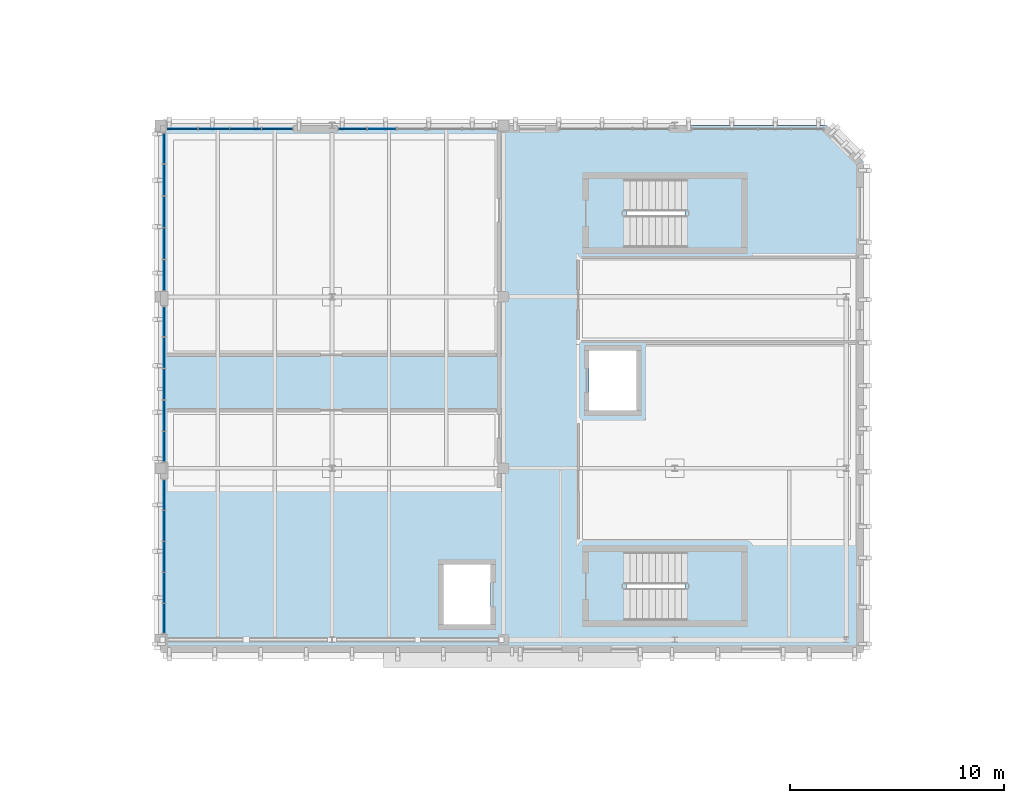
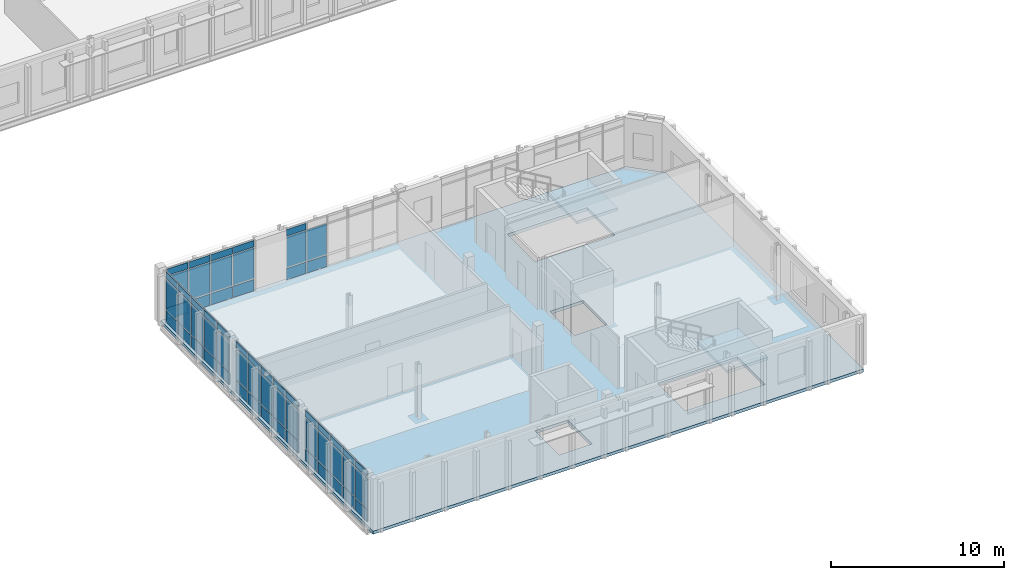
# One storey, part 19 of 40: 62 plates, 3 slabs, 7 elements without a shape of their own.
"""IFC4 building model written with IfcOpenShell, lengths in metres."""

from ifc_helpers import new_model, si_unit, direction, frame, origin, origin_2d, place, context, subcontext, project, spatial, polyline, rectangle, outline, extrude, material, layer, layer_set, type_object, element, aggregate, save


model = new_model("IFC4")

# Units and contexts
model_context = context("Model", 3, precision=1e-05, world=origin(), true_north=direction((0.0, 1.0)))
body_context = subcontext(model_context, "Body", "Model", "MODEL_VIEW")
ifc_project = project(units=[si_unit("LENGTHUNIT", "METRE"), si_unit("AREAUNIT", "SQUARE_METRE"), si_unit("VOLUMEUNIT", "CUBIC_METRE"), si_unit("PLANEANGLEUNIT", "RADIAN"), si_unit("MASSUNIT", "GRAM", prefix="KILO")], contexts=[model_context])

# Site, building, storey
site_placement = place(None, origin())
site = spatial("IfcSite", under=ifc_project, at=site_placement, CompositionType="ELEMENT")
building_placement = place(site_placement, origin())
building = spatial("IfcBuilding", under=site, at=building_placement, Name="Cymarion Research Institute", CompositionType="ELEMENT")
storey_placement = place(building_placement, frame((0.0, 0.0, 26.699951171875)))
storey = spatial("IfcBuildingStorey", under=building, at=storey_placement, Name="L06", CompositionType="ELEMENT", Elevation=26.699951171875)

# Slab
ifc_material_1 = material(Name="Concrete C35/45", Category="concrete")
ifc_layer_1 = layer(ifc_material_1, 0.219970703125)
ifc_layer_set_1 = layer_set([ifc_layer_1], Name="Concrete C35/45")
slab_type_1 = type_object("IfcSlabType", Name="COMPOSITE FLOOR SLAB SL-FL220 220MM", PredefinedType="FLOOR", material=ifc_layer_set_1)
slab_1_placement = place(storey_placement, frame((0.0, 0.0, -0.219970703125)))
element("IfcSlab", 1, at=slab_1_placement, inside=storey, type_object=slab_type_1, Name="L06 V4 floor slab", PredefinedType="FLOOR", context=body_context, shape_type="SweptSolid", body=[
    extrude(outline(polyline([(14.60009765625, 46.89990234375), (47.39990234375, 46.89990234375), (47.39990234375, 69.800048828125), (45.699951171875, 71.5), (14.60009765625, 71.5), (14.60009765625, 46.89990234375)]), holes=[polyline([(36.340087890625, 48.39990234375), (41.699951171875, 48.39990234375), (41.699951171875, 51.60009765625), (36.340087890625, 51.60009765625), (36.340087890625, 48.39990234375)]), polyline([(27.800048828125, 48.199951171875), (30.0, 48.199951171875), (30.0, 51.0), (27.800048828125, 51.0), (27.800048828125, 48.199951171875)]), polyline([(36.340087890625, 65.800048828125), (41.699951171875, 65.800048828125), (41.699951171875, 69.0), (36.340087890625, 69.0), (36.340087890625, 65.800048828125)]), polyline([(34.60009765625, 58.199951171875), (36.800048828125, 58.199951171875), (36.800048828125, 61.0), (34.60009765625, 61.0), (34.60009765625, 58.199951171875)])]), origin(), (0.0, 0.0, 1.0), 0.219970703125),
])

# Curtain wall, plates
ifc_material_2 = material(Name="Anodised aluminium unitised curtain wall with Low-E glazing", Category="aluminium")
curtain_wall_type_1 = type_object("IfcCurtainWallType", Name="UNITISED CURTAIN WALL CW51 4130X3680", PredefinedType="NOTDEFINED", material=ifc_material_2)
curtain_wall_1_placement = place(storey_placement, origin())
curtain_wall_1 = element("IfcCurtainWall", 2, at=curtain_wall_1_placement, inside=storey, type_object=curtain_wall_type_1, Name="L06 V4 unitised curtain wall CW51 #220", PredefinedType="NOTDEFINED")
ifc_material_3 = material(Name="Insulated anodised aluminium spandrel panel", Category="aluminium")
ifc_layer_2 = layer(ifc_material_3, 0.06005859375)
ifc_layer_set_2 = layer_set([ifc_layer_2], Name="Insulated anodised aluminium spandrel panel")
plate_type_1 = type_object("IfcPlateType", Name="INSULATED ALUMINIUM SPANDREL PANEL SP01 60MM", PredefinedType="SHEET", material=ifc_layer_set_2)
plate_1_placement = place(storey_placement, frame((24.925537109375, 71.330078125, 0.06005859375), z_axis=(0.0, 0.0, 1.0), x_axis=(-1.0, 0.0, 0.0)))
plate_1 = element("IfcPlate", 3, at=plate_1_placement, type_object=plate_type_1, Name="CW51 panel 2.1", PredefinedType="SHEET", context=body_context, shape_type="SweptSolid", body=[
    extrude(rectangle(XDim=1.31689453125, YDim=0.06005859375, at=origin_2d()), origin(), (0.0, 0.0, 1.0), 0.81005859375),
])
plate_2_placement = place(storey_placement, frame((23.5634765625, 71.330078125, 0.06005859375), z_axis=(0.0, 0.0, 1.0), x_axis=(-1.0, 0.0, 0.0)))
plate_2 = element("IfcPlate", 4, at=plate_2_placement, type_object=plate_type_1, Name="CW51 panel 3.1", PredefinedType="SHEET", context=body_context, shape_type="SweptSolid", body=[
    extrude(rectangle(XDim=1.286865234375, YDim=0.06005859375, at=origin_2d()), origin(), (0.0, 0.0, 1.0), 0.81005859375),
])
plate_3_placement = place(storey_placement, frame((23.5634765625, 71.330078125, 3.16015625), z_axis=(0.0, 0.0, 1.0), x_axis=(-1.0, 0.0, 0.0)))
plate_3 = element("IfcPlate", 5, at=plate_3_placement, type_object=plate_type_1, Name="CW51 panel 3.3", PredefinedType="SHEET", context=body_context, shape_type="SweptSolid", body=[
    extrude(rectangle(XDim=1.286865234375, YDim=0.06005859375, at=origin_2d()), origin(), (0.0, 0.0, 1.0), 0.4599609375),
])

curtain_wall_type_2 = type_object("IfcCurtainWallType", Name="UNITISED CURTAIN WALL CW60 5930X3680", PredefinedType="NOTDEFINED", material=ifc_material_2)
curtain_wall_2_placement = place(storey_placement, origin())
curtain_wall_2 = element("IfcCurtainWall", 6, at=curtain_wall_2_placement, inside=storey, type_object=curtain_wall_type_2, Name="L06 V4 unitised curtain wall CW60 #221", PredefinedType="NOTDEFINED")
plate_4_placement = place(storey_placement, frame((20.03857421875, 71.330078125, 0.06005859375), z_axis=(0.0, 0.0, 1.0), x_axis=(-1.0, 0.0, 0.0)))
plate_4 = element("IfcPlate", 7, at=plate_4_placement, type_object=plate_type_1, Name="CW60 panel 1.1", PredefinedType="SHEET", context=body_context, shape_type="SweptSolid", body=[
    extrude(rectangle(XDim=1.393798828125, YDim=0.06005859375, at=origin_2d()), origin(), (0.0, 0.0, 1.0), 0.81005859375),
])
plate_5_placement = place(storey_placement, frame((20.03857421875, 71.330078125, 3.16015625), z_axis=(0.0, 0.0, 1.0), x_axis=(-1.0, 0.0, 0.0)))
plate_5 = element("IfcPlate", 8, at=plate_5_placement, type_object=plate_type_1, Name="CW60 panel 1.3", PredefinedType="SHEET", context=body_context, shape_type="SweptSolid", body=[
    extrude(rectangle(XDim=1.393798828125, YDim=0.06005859375, at=origin_2d()), origin(), (0.0, 0.0, 1.0), 0.4599609375),
])
plate_6_placement = place(storey_placement, frame((18.569580078125, 71.330078125, 0.06005859375), z_axis=(0.0, 0.0, 1.0), x_axis=(-1.0, 0.0, 0.0)))
plate_6 = element("IfcPlate", 9, at=plate_6_placement, type_object=plate_type_1, Name="CW60 panel 2.1", PredefinedType="SHEET", context=body_context, shape_type="SweptSolid", body=[
    extrude(rectangle(XDim=1.423828125, YDim=0.06005859375, at=origin_2d()), origin(), (0.0, 0.0, 1.0), 0.81005859375),
])
plate_7_placement = place(storey_placement, frame((18.569580078125, 71.330078125, 3.16015625), z_axis=(0.0, 0.0, 1.0), x_axis=(-1.0, 0.0, 0.0)))
plate_7 = element("IfcPlate", 10, at=plate_7_placement, type_object=plate_type_1, Name="CW60 panel 2.3", PredefinedType="SHEET", context=body_context, shape_type="SweptSolid", body=[
    extrude(rectangle(XDim=1.423828125, YDim=0.06005859375, at=origin_2d()), origin(), (0.0, 0.0, 1.0), 0.4599609375),
])
plate_8_placement = place(storey_placement, frame((17.085693359375, 71.330078125, 0.06005859375), z_axis=(0.0, 0.0, 1.0), x_axis=(-1.0, 0.0, 0.0)))
plate_8 = element("IfcPlate", 11, at=plate_8_placement, type_object=plate_type_1, Name="CW60 panel 3.1", PredefinedType="SHEET", context=body_context, shape_type="SweptSolid", body=[
    extrude(rectangle(XDim=1.423828125, YDim=0.06005859375, at=origin_2d()), origin(), (0.0, 0.0, 1.0), 0.81005859375),
])
plate_9_placement = place(storey_placement, frame((17.085693359375, 71.330078125, 3.16015625), z_axis=(0.0, 0.0, 1.0), x_axis=(-1.0, 0.0, 0.0)))
plate_9 = element("IfcPlate", 12, at=plate_9_placement, type_object=plate_type_1, Name="CW60 panel 3.3", PredefinedType="SHEET", context=body_context, shape_type="SweptSolid", body=[
    extrude(rectangle(XDim=1.423828125, YDim=0.06005859375, at=origin_2d()), origin(), (0.0, 0.0, 1.0), 0.4599609375),
])
plate_10_placement = place(storey_placement, frame((15.616943359375, 71.330078125, 0.06005859375), z_axis=(0.0, 0.0, 1.0), x_axis=(-1.0, 0.0, 0.0)))
plate_10 = element("IfcPlate", 13, at=plate_10_placement, type_object=plate_type_1, Name="CW60 panel 4.1", PredefinedType="SHEET", context=body_context, shape_type="SweptSolid", body=[
    extrude(rectangle(XDim=1.393798828125, YDim=0.06005859375, at=origin_2d()), origin(), (0.0, 0.0, 1.0), 0.81005859375),
])
plate_11_placement = place(storey_placement, frame((15.616943359375, 71.330078125, 3.16015625), z_axis=(0.0, 0.0, 1.0), x_axis=(-1.0, 0.0, 0.0)))
plate_11 = element("IfcPlate", 14, at=plate_11_placement, type_object=plate_type_1, Name="CW60 panel 4.3", PredefinedType="SHEET", context=body_context, shape_type="SweptSolid", body=[
    extrude(rectangle(XDim=1.393798828125, YDim=0.06005859375, at=origin_2d()), origin(), (0.0, 0.0, 1.0), 0.4599609375),
])

curtain_wall_type_3 = type_object("IfcCurtainWallType", Name="UNITISED CURTAIN WALL CW61 7420X3680", PredefinedType="NOTDEFINED", material=ifc_material_2)
curtain_wall_3_placement = place(storey_placement, origin())
curtain_wall_3 = element("IfcCurtainWall", 15, at=curtain_wall_3_placement, inside=storey, type_object=curtain_wall_type_3, Name="L06 V4 unitised curtain wall CW61 #222", PredefinedType="NOTDEFINED")
plate_12_placement = place(storey_placement, frame((14.77001953125, 70.421142578125, 0.06005859375), z_axis=(0.0, 0.0, 1.0), x_axis=(0.0, -1.0, 0.0)))
plate_12 = element("IfcPlate", 16, at=plate_12_placement, type_object=plate_type_1, Name="CW61 panel 1.1", PredefinedType="SHEET", context=body_context, shape_type="SweptSolid", body=[
    extrude(rectangle(XDim=1.3935546875, YDim=0.06005859375, at=origin_2d()), origin(), (0.0, 0.0, 1.0), 0.81005859375),
])
plate_13_placement = place(storey_placement, frame((14.77001953125, 70.421142578125, 3.16015625), z_axis=(0.0, 0.0, 1.0), x_axis=(0.0, -1.0, 0.0)))
plate_13 = element("IfcPlate", 17, at=plate_13_placement, type_object=plate_type_1, Name="CW61 panel 1.3", PredefinedType="SHEET", context=body_context, shape_type="SweptSolid", body=[
    extrude(rectangle(XDim=1.3935546875, YDim=0.06005859375, at=origin_2d()), origin(), (0.0, 0.0, 1.0), 0.4599609375),
])
plate_14_placement = place(storey_placement, frame((14.77001953125, 68.95263671875, 0.06005859375), z_axis=(0.0, 0.0, 1.0), x_axis=(0.0, -1.0, 0.0)))
plate_14 = element("IfcPlate", 18, at=plate_14_placement, type_object=plate_type_1, Name="CW61 panel 2.1", PredefinedType="SHEET", context=body_context, shape_type="SweptSolid", body=[
    extrude(rectangle(XDim=1.423583984375, YDim=0.06005859375, at=origin_2d()), origin(), (0.0, 0.0, 1.0), 0.81005859375),
])
plate_15_placement = place(storey_placement, frame((14.77001953125, 68.95263671875, 3.16015625), z_axis=(0.0, 0.0, 1.0), x_axis=(0.0, -1.0, 0.0)))
plate_15 = element("IfcPlate", 19, at=plate_15_placement, type_object=plate_type_1, Name="CW61 panel 2.3", PredefinedType="SHEET", context=body_context, shape_type="SweptSolid", body=[
    extrude(rectangle(XDim=1.423583984375, YDim=0.06005859375, at=origin_2d()), origin(), (0.0, 0.0, 1.0), 0.4599609375),
])
plate_16_placement = place(storey_placement, frame((14.77001953125, 67.468994140625, 0.06005859375), z_axis=(0.0, 0.0, 1.0), x_axis=(0.0, -1.0, 0.0)))
plate_16 = element("IfcPlate", 20, at=plate_16_placement, type_object=plate_type_1, Name="CW61 panel 3.1", PredefinedType="SHEET", context=body_context, shape_type="SweptSolid", body=[
    extrude(rectangle(XDim=1.423583984375, YDim=0.06005859375, at=origin_2d()), origin(), (0.0, 0.0, 1.0), 0.81005859375),
])
plate_17_placement = place(storey_placement, frame((14.77001953125, 67.468994140625, 3.16015625), z_axis=(0.0, 0.0, 1.0), x_axis=(0.0, -1.0, 0.0)))
plate_17 = element("IfcPlate", 21, at=plate_17_placement, type_object=plate_type_1, Name="CW61 panel 3.3", PredefinedType="SHEET", context=body_context, shape_type="SweptSolid", body=[
    extrude(rectangle(XDim=1.423583984375, YDim=0.06005859375, at=origin_2d()), origin(), (0.0, 0.0, 1.0), 0.4599609375),
])
plate_18_placement = place(storey_placement, frame((14.77001953125, 65.9853515625, 0.06005859375), z_axis=(0.0, 0.0, 1.0), x_axis=(0.0, -1.0, 0.0)))
plate_18 = element("IfcPlate", 22, at=plate_18_placement, type_object=plate_type_1, Name="CW61 panel 4.1", PredefinedType="SHEET", context=body_context, shape_type="SweptSolid", body=[
    extrude(rectangle(XDim=1.423583984375, YDim=0.06005859375, at=origin_2d()), origin(), (0.0, 0.0, 1.0), 0.81005859375),
])
plate_19_placement = place(storey_placement, frame((14.77001953125, 65.9853515625, 3.16015625), z_axis=(0.0, 0.0, 1.0), x_axis=(0.0, -1.0, 0.0)))
plate_19 = element("IfcPlate", 23, at=plate_19_placement, type_object=plate_type_1, Name="CW61 panel 4.3", PredefinedType="SHEET", context=body_context, shape_type="SweptSolid", body=[
    extrude(rectangle(XDim=1.423583984375, YDim=0.06005859375, at=origin_2d()), origin(), (0.0, 0.0, 1.0), 0.4599609375),
])
plate_20_placement = place(storey_placement, frame((14.77001953125, 64.516845703125, 0.06005859375), z_axis=(0.0, 0.0, 1.0), x_axis=(0.0, -1.0, 0.0)))
plate_20 = element("IfcPlate", 24, at=plate_20_placement, type_object=plate_type_1, Name="CW61 panel 5.1", PredefinedType="SHEET", context=body_context, shape_type="SweptSolid", body=[
    extrude(rectangle(XDim=1.3935546875, YDim=0.06005859375, at=origin_2d()), origin(), (0.0, 0.0, 1.0), 0.81005859375),
])
plate_21_placement = place(storey_placement, frame((14.77001953125, 64.516845703125, 3.16015625), z_axis=(0.0, 0.0, 1.0), x_axis=(0.0, -1.0, 0.0)))
plate_21 = element("IfcPlate", 25, at=plate_21_placement, type_object=plate_type_1, Name="CW61 panel 5.3", PredefinedType="SHEET", context=body_context, shape_type="SweptSolid", body=[
    extrude(rectangle(XDim=1.3935546875, YDim=0.06005859375, at=origin_2d()), origin(), (0.0, 0.0, 1.0), 0.4599609375),
])

curtain_wall_type_4 = type_object("IfcCurtainWallType", Name="UNITISED CURTAIN WALL CW62 7330X3680", PredefinedType="NOTDEFINED", material=ifc_material_2)
curtain_wall_4_placement = place(storey_placement, origin())
curtain_wall_4 = element("IfcCurtainWall", 26, at=curtain_wall_4_placement, inside=storey, type_object=curtain_wall_type_4, Name="L06 V4 unitised curtain wall CW62 #223", PredefinedType="NOTDEFINED")
plate_22_placement = place(storey_placement, frame((14.77001953125, 62.337890625, 0.06005859375), z_axis=(0.0, 0.0, 1.0), x_axis=(0.0, -1.0, 0.0)))
plate_22 = element("IfcPlate", 27, at=plate_22_placement, type_object=plate_type_1, Name="CW62 panel 1.1", PredefinedType="SHEET", context=body_context, shape_type="SweptSolid", body=[
    extrude(rectangle(XDim=1.375, YDim=0.06005859375, at=origin_2d()), origin(), (0.0, 0.0, 1.0), 0.81005859375),
])
plate_23_placement = place(storey_placement, frame((14.77001953125, 62.337890625, 3.16015625), z_axis=(0.0, 0.0, 1.0), x_axis=(0.0, -1.0, 0.0)))
plate_23 = element("IfcPlate", 28, at=plate_23_placement, type_object=plate_type_1, Name="CW62 panel 1.3", PredefinedType="SHEET", context=body_context, shape_type="SweptSolid", body=[
    extrude(rectangle(XDim=1.375, YDim=0.06005859375, at=origin_2d()), origin(), (0.0, 0.0, 1.0), 0.4599609375),
])
plate_24_placement = place(storey_placement, frame((14.77001953125, 60.8876953125, 0.06005859375), z_axis=(0.0, 0.0, 1.0), x_axis=(0.0, -1.0, 0.0)))
plate_24 = element("IfcPlate", 29, at=plate_24_placement, type_object=plate_type_1, Name="CW62 panel 2.1", PredefinedType="SHEET", context=body_context, shape_type="SweptSolid", body=[
    extrude(rectangle(XDim=1.405029296875, YDim=0.06005859375, at=origin_2d()), origin(), (0.0, 0.0, 1.0), 0.81005859375),
])
plate_25_placement = place(storey_placement, frame((14.77001953125, 60.8876953125, 3.16015625), z_axis=(0.0, 0.0, 1.0), x_axis=(0.0, -1.0, 0.0)))
plate_25 = element("IfcPlate", 30, at=plate_25_placement, type_object=plate_type_1, Name="CW62 panel 2.3", PredefinedType="SHEET", context=body_context, shape_type="SweptSolid", body=[
    extrude(rectangle(XDim=1.405029296875, YDim=0.06005859375, at=origin_2d()), origin(), (0.0, 0.0, 1.0), 0.4599609375),
])
plate_26_placement = place(storey_placement, frame((14.77001953125, 59.422607421875, 0.06005859375), z_axis=(0.0, 0.0, 1.0), x_axis=(0.0, -1.0, 0.0)))
plate_26 = element("IfcPlate", 31, at=plate_26_placement, type_object=plate_type_1, Name="CW62 panel 3.1", PredefinedType="SHEET", context=body_context, shape_type="SweptSolid", body=[
    extrude(rectangle(XDim=1.405029296875, YDim=0.06005859375, at=origin_2d()), origin(), (0.0, 0.0, 1.0), 0.81005859375),
])
plate_27_placement = place(storey_placement, frame((14.77001953125, 59.422607421875, 3.16015625), z_axis=(0.0, 0.0, 1.0), x_axis=(0.0, -1.0, 0.0)))
plate_27 = element("IfcPlate", 32, at=plate_27_placement, type_object=plate_type_1, Name="CW62 panel 3.3", PredefinedType="SHEET", context=body_context, shape_type="SweptSolid", body=[
    extrude(rectangle(XDim=1.405029296875, YDim=0.06005859375, at=origin_2d()), origin(), (0.0, 0.0, 1.0), 0.4599609375),
])
plate_28_placement = place(storey_placement, frame((14.77001953125, 57.95751953125, 0.06005859375), z_axis=(0.0, 0.0, 1.0), x_axis=(0.0, -1.0, 0.0)))
plate_28 = element("IfcPlate", 33, at=plate_28_placement, type_object=plate_type_1, Name="CW62 panel 4.1", PredefinedType="SHEET", context=body_context, shape_type="SweptSolid", body=[
    extrude(rectangle(XDim=1.405029296875, YDim=0.06005859375, at=origin_2d()), origin(), (0.0, 0.0, 1.0), 0.81005859375),
])
plate_29_placement = place(storey_placement, frame((14.77001953125, 57.95751953125, 3.16015625), z_axis=(0.0, 0.0, 1.0), x_axis=(0.0, -1.0, 0.0)))
plate_29 = element("IfcPlate", 34, at=plate_29_placement, type_object=plate_type_1, Name="CW62 panel 4.3", PredefinedType="SHEET", context=body_context, shape_type="SweptSolid", body=[
    extrude(rectangle(XDim=1.405029296875, YDim=0.06005859375, at=origin_2d()), origin(), (0.0, 0.0, 1.0), 0.4599609375),
])
plate_30_placement = place(storey_placement, frame((14.77001953125, 56.507568359375, 0.06005859375), z_axis=(0.0, 0.0, 1.0), x_axis=(0.0, -1.0, 0.0)))
plate_30 = element("IfcPlate", 35, at=plate_30_placement, type_object=plate_type_1, Name="CW62 panel 5.1", PredefinedType="SHEET", context=body_context, shape_type="SweptSolid", body=[
    extrude(rectangle(XDim=1.375, YDim=0.06005859375, at=origin_2d()), origin(), (0.0, 0.0, 1.0), 0.81005859375),
])
plate_31_placement = place(storey_placement, frame((14.77001953125, 56.507568359375, 3.16015625), z_axis=(0.0, 0.0, 1.0), x_axis=(0.0, -1.0, 0.0)))
plate_31 = element("IfcPlate", 36, at=plate_31_placement, type_object=plate_type_1, Name="CW62 panel 5.3", PredefinedType="SHEET", context=body_context, shape_type="SweptSolid", body=[
    extrude(rectangle(XDim=1.375, YDim=0.06005859375, at=origin_2d()), origin(), (0.0, 0.0, 1.0), 0.4599609375),
])

curtain_wall_type_5 = type_object("IfcCurtainWallType", Name="UNITISED CURTAIN WALL CW63 7230X3680", PredefinedType="NOTDEFINED", material=ifc_material_2)
curtain_wall_5_placement = place(storey_placement, origin())
curtain_wall_5 = element("IfcCurtainWall", 37, at=curtain_wall_5_placement, inside=storey, type_object=curtain_wall_type_5, Name="L06 V4 unitised curtain wall CW63 #224", PredefinedType="NOTDEFINED")
plate_32_placement = place(storey_placement, frame((14.77001953125, 54.25439453125, 0.06005859375), z_axis=(0.0, 0.0, 1.0), x_axis=(0.0, -1.0, 0.0)))
plate_32 = element("IfcPlate", 38, at=plate_32_placement, type_object=plate_type_1, Name="CW63 panel 1.1", PredefinedType="SHEET", context=body_context, shape_type="SweptSolid", body=[
    extrude(rectangle(XDim=1.3564453125, YDim=0.06005859375, at=origin_2d()), origin(), (0.0, 0.0, 1.0), 0.81005859375),
])
plate_33_placement = place(storey_placement, frame((14.77001953125, 54.25439453125, 3.16015625), z_axis=(0.0, 0.0, 1.0), x_axis=(0.0, -1.0, 0.0)))
plate_33 = element("IfcPlate", 39, at=plate_33_placement, type_object=plate_type_1, Name="CW63 panel 1.3", PredefinedType="SHEET", context=body_context, shape_type="SweptSolid", body=[
    extrude(rectangle(XDim=1.3564453125, YDim=0.06005859375, at=origin_2d()), origin(), (0.0, 0.0, 1.0), 0.4599609375),
])
plate_34_placement = place(storey_placement, frame((14.77001953125, 52.822998046875, 0.06005859375), z_axis=(0.0, 0.0, 1.0), x_axis=(0.0, -1.0, 0.0)))
plate_34 = element("IfcPlate", 40, at=plate_34_placement, type_object=plate_type_1, Name="CW63 panel 2.1", PredefinedType="SHEET", context=body_context, shape_type="SweptSolid", body=[
    extrude(rectangle(XDim=1.386474609375, YDim=0.06005859375, at=origin_2d()), origin(), (0.0, 0.0, 1.0), 0.81005859375),
])
plate_35_placement = place(storey_placement, frame((14.77001953125, 52.822998046875, 3.16015625), z_axis=(0.0, 0.0, 1.0), x_axis=(0.0, -1.0, 0.0)))
plate_35 = element("IfcPlate", 41, at=plate_35_placement, type_object=plate_type_1, Name="CW63 panel 2.3", PredefinedType="SHEET", context=body_context, shape_type="SweptSolid", body=[
    extrude(rectangle(XDim=1.386474609375, YDim=0.06005859375, at=origin_2d()), origin(), (0.0, 0.0, 1.0), 0.4599609375),
])
plate_36_placement = place(storey_placement, frame((14.77001953125, 51.37646484375, 0.06005859375), z_axis=(0.0, 0.0, 1.0), x_axis=(0.0, -1.0, 0.0)))
plate_36 = element("IfcPlate", 42, at=plate_36_placement, type_object=plate_type_1, Name="CW63 panel 3.1", PredefinedType="SHEET", context=body_context, shape_type="SweptSolid", body=[
    extrude(rectangle(XDim=1.386474609375, YDim=0.06005859375, at=origin_2d()), origin(), (0.0, 0.0, 1.0), 0.81005859375),
])
plate_37_placement = place(storey_placement, frame((14.77001953125, 51.37646484375, 3.16015625), z_axis=(0.0, 0.0, 1.0), x_axis=(0.0, -1.0, 0.0)))
plate_37 = element("IfcPlate", 43, at=plate_37_placement, type_object=plate_type_1, Name="CW63 panel 3.3", PredefinedType="SHEET", context=body_context, shape_type="SweptSolid", body=[
    extrude(rectangle(XDim=1.386474609375, YDim=0.06005859375, at=origin_2d()), origin(), (0.0, 0.0, 1.0), 0.4599609375),
])
plate_38_placement = place(storey_placement, frame((14.77001953125, 49.929931640625, 0.06005859375), z_axis=(0.0, 0.0, 1.0), x_axis=(0.0, -1.0, 0.0)))
plate_38 = element("IfcPlate", 44, at=plate_38_placement, type_object=plate_type_1, Name="CW63 panel 4.1", PredefinedType="SHEET", context=body_context, shape_type="SweptSolid", body=[
    extrude(rectangle(XDim=1.386474609375, YDim=0.06005859375, at=origin_2d()), origin(), (0.0, 0.0, 1.0), 0.81005859375),
])
plate_39_placement = place(storey_placement, frame((14.77001953125, 49.929931640625, 3.16015625), z_axis=(0.0, 0.0, 1.0), x_axis=(0.0, -1.0, 0.0)))
plate_39 = element("IfcPlate", 45, at=plate_39_placement, type_object=plate_type_1, Name="CW63 panel 4.3", PredefinedType="SHEET", context=body_context, shape_type="SweptSolid", body=[
    extrude(rectangle(XDim=1.386474609375, YDim=0.06005859375, at=origin_2d()), origin(), (0.0, 0.0, 1.0), 0.4599609375),
])
plate_40_placement = place(storey_placement, frame((14.77001953125, 48.498291015625, 0.06005859375), z_axis=(0.0, 0.0, 1.0), x_axis=(0.0, -1.0, 0.0)))
plate_40 = element("IfcPlate", 46, at=plate_40_placement, type_object=plate_type_1, Name="CW63 panel 5.1", PredefinedType="SHEET", context=body_context, shape_type="SweptSolid", body=[
    extrude(rectangle(XDim=1.3564453125, YDim=0.06005859375, at=origin_2d()), origin(), (0.0, 0.0, 1.0), 0.81005859375),
])
plate_41_placement = place(storey_placement, frame((14.77001953125, 48.498291015625, 3.16015625), z_axis=(0.0, 0.0, 1.0), x_axis=(0.0, -1.0, 0.0)))
plate_41 = element("IfcPlate", 47, at=plate_41_placement, type_object=plate_type_1, Name="CW63 panel 5.3", PredefinedType="SHEET", context=body_context, shape_type="SweptSolid", body=[
    extrude(rectangle(XDim=1.3564453125, YDim=0.06005859375, at=origin_2d()), origin(), (0.0, 0.0, 1.0), 0.4599609375),
])

# Stair, slab
stair_type = type_object("IfcStairType", Name="REINFORCED CONCRETE DOGLEG STAIR STR-3900", PredefinedType="HALF_TURN_STAIR", material=ifc_material_1)
stair_1_placement = place(storey_placement, origin())
stair_1 = element("IfcStair", 48, at=stair_1_placement, inside=storey, type_object=stair_type, Name="L06 Core C7 Smoke-Proof Exit Stair ST7", PredefinedType="HALF_TURN_STAIR")
ifc_layer_3 = layer(ifc_material_1, 0.199951171875)
ifc_layer_set_3 = layer_set([ifc_layer_3], Name="Concrete C35/45")
slab_type_2 = type_object("IfcSlabType", Name="REINFORCED CONCRETE STAIR LANDING LDG200", PredefinedType="LANDING", material=ifc_layer_set_3)
slab_2_placement = place(storey_placement, frame((0.0, 0.0, 1.75)))
slab_2 = element("IfcSlab", 49, at=slab_2_placement, type_object=slab_type_2, Name="ST7 landing 1", PredefinedType="LANDING", context=body_context, shape_type="SweptSolid", body=[
    extrude(outline(polyline([(39.080078125, 48.280029296875), (39.080078125, 51.719970703125), (41.820068359375, 51.719970703125), (41.820068359375, 48.280029296875), (39.080078125, 48.280029296875)])), origin(), (0.0, 0.0, 1.0), 0.199951171875),
])
aggregate(stair_1, [slab_2])

stair_2_placement = place(storey_placement, origin())
stair_2 = element("IfcStair", 50, at=stair_2_placement, inside=storey, type_object=stair_type, Name="L06 Core C8 Smoke-Proof Exit Stair ST8", PredefinedType="HALF_TURN_STAIR")
slab_3_placement = place(storey_placement, frame((0.0, 0.0, 1.75)))
slab_3 = element("IfcSlab", 51, at=slab_3_placement, type_object=slab_type_2, Name="ST8 landing 1", PredefinedType="LANDING", context=body_context, shape_type="SweptSolid", body=[
    extrude(outline(polyline([(39.080078125, 65.679931640625), (39.080078125, 69.1201171875), (41.820068359375, 69.1201171875), (41.820068359375, 65.679931640625), (39.080078125, 65.679931640625)])), origin(), (0.0, 0.0, 1.0), 0.199951171875),
])
aggregate(stair_2, [slab_3])

# Plate
ifc_material_4 = material(Name="Low-E double solar-control glazing", Category="glass")
ifc_layer_4 = layer(ifc_material_4, 0.035888671875)
ifc_layer_set_4 = layer_set([ifc_layer_4], Name="Low-E double solar-control glazing")
plate_type_2 = type_object("IfcPlateType", Name="SOLAR CONTROL GLAZED VISION PANEL GP01 36MM", PredefinedType="CURTAIN_PANEL", material=ifc_layer_set_4)
plate_42_placement = place(storey_placement, frame((24.925537109375, 71.330078125, 0.93017578125), z_axis=(0.0, 0.0, 1.0), x_axis=(-1.0, 0.0, 0.0)))
plate_42 = element("IfcPlate", 52, at=plate_42_placement, type_object=plate_type_2, Name="CW51 panel 2.2", PredefinedType="CURTAIN_PANEL", context=body_context, shape_type="SweptSolid", body=[
    extrude(rectangle(XDim=1.31689453125, YDim=0.035888671875, at=origin_2d()), origin(), (0.0, 0.0, 1.0), 2.169921875),
])

plate_43_placement = place(storey_placement, frame((23.5634765625, 71.330078125, 0.93017578125), z_axis=(0.0, 0.0, 1.0), x_axis=(-1.0, 0.0, 0.0)))
plate_43 = element("IfcPlate", 53, at=plate_43_placement, type_object=plate_type_2, Name="CW51 panel 3.2", PredefinedType="CURTAIN_PANEL", context=body_context, shape_type="SweptSolid", body=[
    extrude(rectangle(XDim=1.286865234375, YDim=0.035888671875, at=origin_2d()), origin(), (0.0, 0.0, 1.0), 2.169921875),
])

aggregate(curtain_wall_1, [plate_1, plate_42, plate_2, plate_43, plate_3])

plate_44_placement = place(storey_placement, frame((20.03857421875, 71.330078125, 0.93017578125), z_axis=(0.0, 0.0, 1.0), x_axis=(-1.0, 0.0, 0.0)))
plate_44 = element("IfcPlate", 54, at=plate_44_placement, type_object=plate_type_2, Name="CW60 panel 1.2", PredefinedType="CURTAIN_PANEL", context=body_context, shape_type="SweptSolid", body=[
    extrude(rectangle(XDim=1.393798828125, YDim=0.035888671875, at=origin_2d()), origin(), (0.0, 0.0, 1.0), 2.169921875),
])

plate_45_placement = place(storey_placement, frame((18.569580078125, 71.330078125, 0.93017578125), z_axis=(0.0, 0.0, 1.0), x_axis=(-1.0, 0.0, 0.0)))
plate_45 = element("IfcPlate", 55, at=plate_45_placement, type_object=plate_type_2, Name="CW60 panel 2.2", PredefinedType="CURTAIN_PANEL", context=body_context, shape_type="SweptSolid", body=[
    extrude(rectangle(XDim=1.423828125, YDim=0.035888671875, at=origin_2d()), origin(), (0.0, 0.0, 1.0), 2.169921875),
])

plate_46_placement = place(storey_placement, frame((17.085693359375, 71.330078125, 0.93017578125), z_axis=(0.0, 0.0, 1.0), x_axis=(-1.0, 0.0, 0.0)))
plate_46 = element("IfcPlate", 56, at=plate_46_placement, type_object=plate_type_2, Name="CW60 panel 3.2", PredefinedType="CURTAIN_PANEL", context=body_context, shape_type="SweptSolid", body=[
    extrude(rectangle(XDim=1.423828125, YDim=0.035888671875, at=origin_2d()), origin(), (0.0, 0.0, 1.0), 2.169921875),
])

plate_47_placement = place(storey_placement, frame((15.616943359375, 71.330078125, 0.93017578125), z_axis=(0.0, 0.0, 1.0), x_axis=(-1.0, 0.0, 0.0)))
plate_47 = element("IfcPlate", 57, at=plate_47_placement, type_object=plate_type_2, Name="CW60 panel 4.2", PredefinedType="CURTAIN_PANEL", context=body_context, shape_type="SweptSolid", body=[
    extrude(rectangle(XDim=1.393798828125, YDim=0.035888671875, at=origin_2d()), origin(), (0.0, 0.0, 1.0), 2.169921875),
])

aggregate(curtain_wall_2, [plate_4, plate_44, plate_5, plate_6, plate_45, plate_7, plate_8, plate_46, plate_9, plate_10, plate_47, plate_11])

plate_48_placement = place(storey_placement, frame((14.77001953125, 70.421142578125, 0.93017578125), z_axis=(0.0, 0.0, 1.0), x_axis=(0.0, -1.0, 0.0)))
plate_48 = element("IfcPlate", 58, at=plate_48_placement, type_object=plate_type_2, Name="CW61 panel 1.2", PredefinedType="CURTAIN_PANEL", context=body_context, shape_type="SweptSolid", body=[
    extrude(rectangle(XDim=1.3935546875, YDim=0.035888671875, at=origin_2d()), origin(), (0.0, 0.0, 1.0), 2.169921875),
])

plate_49_placement = place(storey_placement, frame((14.77001953125, 68.95263671875, 0.93017578125), z_axis=(0.0, 0.0, 1.0), x_axis=(0.0, -1.0, 0.0)))
plate_49 = element("IfcPlate", 59, at=plate_49_placement, type_object=plate_type_2, Name="CW61 panel 2.2", PredefinedType="CURTAIN_PANEL", context=body_context, shape_type="SweptSolid", body=[
    extrude(rectangle(XDim=1.423583984375, YDim=0.035888671875, at=origin_2d()), origin(), (0.0, 0.0, 1.0), 2.169921875),
])

plate_50_placement = place(storey_placement, frame((14.77001953125, 67.468994140625, 0.93017578125), z_axis=(0.0, 0.0, 1.0), x_axis=(0.0, -1.0, 0.0)))
plate_50 = element("IfcPlate", 60, at=plate_50_placement, type_object=plate_type_2, Name="CW61 panel 3.2", PredefinedType="CURTAIN_PANEL", context=body_context, shape_type="SweptSolid", body=[
    extrude(rectangle(XDim=1.423583984375, YDim=0.035888671875, at=origin_2d()), origin(), (0.0, 0.0, 1.0), 2.169921875),
])

plate_51_placement = place(storey_placement, frame((14.77001953125, 65.9853515625, 0.93017578125), z_axis=(0.0, 0.0, 1.0), x_axis=(0.0, -1.0, 0.0)))
plate_51 = element("IfcPlate", 61, at=plate_51_placement, type_object=plate_type_2, Name="CW61 panel 4.2", PredefinedType="CURTAIN_PANEL", context=body_context, shape_type="SweptSolid", body=[
    extrude(rectangle(XDim=1.423583984375, YDim=0.035888671875, at=origin_2d()), origin(), (0.0, 0.0, 1.0), 2.169921875),
])

plate_52_placement = place(storey_placement, frame((14.77001953125, 64.516845703125, 0.93017578125), z_axis=(0.0, 0.0, 1.0), x_axis=(0.0, -1.0, 0.0)))
plate_52 = element("IfcPlate", 62, at=plate_52_placement, type_object=plate_type_2, Name="CW61 panel 5.2", PredefinedType="CURTAIN_PANEL", context=body_context, shape_type="SweptSolid", body=[
    extrude(rectangle(XDim=1.3935546875, YDim=0.035888671875, at=origin_2d()), origin(), (0.0, 0.0, 1.0), 2.169921875),
])

aggregate(curtain_wall_3, [plate_12, plate_48, plate_13, plate_14, plate_49, plate_15, plate_16, plate_50, plate_17, plate_18, plate_51, plate_19, plate_20, plate_52, plate_21])

plate_53_placement = place(storey_placement, frame((14.77001953125, 62.337890625, 0.93017578125), z_axis=(0.0, 0.0, 1.0), x_axis=(0.0, -1.0, 0.0)))
plate_53 = element("IfcPlate", 63, at=plate_53_placement, type_object=plate_type_2, Name="CW62 panel 1.2", PredefinedType="CURTAIN_PANEL", context=body_context, shape_type="SweptSolid", body=[
    extrude(rectangle(XDim=1.375, YDim=0.035888671875, at=origin_2d()), origin(), (0.0, 0.0, 1.0), 2.169921875),
])

plate_54_placement = place(storey_placement, frame((14.77001953125, 60.8876953125, 0.93017578125), z_axis=(0.0, 0.0, 1.0), x_axis=(0.0, -1.0, 0.0)))
plate_54 = element("IfcPlate", 64, at=plate_54_placement, type_object=plate_type_2, Name="CW62 panel 2.2", PredefinedType="CURTAIN_PANEL", context=body_context, shape_type="SweptSolid", body=[
    extrude(rectangle(XDim=1.405029296875, YDim=0.035888671875, at=origin_2d()), origin(), (0.0, 0.0, 1.0), 2.169921875),
])

plate_55_placement = place(storey_placement, frame((14.77001953125, 59.422607421875, 0.93017578125), z_axis=(0.0, 0.0, 1.0), x_axis=(0.0, -1.0, 0.0)))
plate_55 = element("IfcPlate", 65, at=plate_55_placement, type_object=plate_type_2, Name="CW62 panel 3.2", PredefinedType="CURTAIN_PANEL", context=body_context, shape_type="SweptSolid", body=[
    extrude(rectangle(XDim=1.405029296875, YDim=0.035888671875, at=origin_2d()), origin(), (0.0, 0.0, 1.0), 2.169921875),
])

plate_56_placement = place(storey_placement, frame((14.77001953125, 57.95751953125, 0.93017578125), z_axis=(0.0, 0.0, 1.0), x_axis=(0.0, -1.0, 0.0)))
plate_56 = element("IfcPlate", 66, at=plate_56_placement, type_object=plate_type_2, Name="CW62 panel 4.2", PredefinedType="CURTAIN_PANEL", context=body_context, shape_type="SweptSolid", body=[
    extrude(rectangle(XDim=1.405029296875, YDim=0.035888671875, at=origin_2d()), origin(), (0.0, 0.0, 1.0), 2.169921875),
])

plate_57_placement = place(storey_placement, frame((14.77001953125, 56.507568359375, 0.93017578125), z_axis=(0.0, 0.0, 1.0), x_axis=(0.0, -1.0, 0.0)))
plate_57 = element("IfcPlate", 67, at=plate_57_placement, type_object=plate_type_2, Name="CW62 panel 5.2", PredefinedType="CURTAIN_PANEL", context=body_context, shape_type="SweptSolid", body=[
    extrude(rectangle(XDim=1.375, YDim=0.035888671875, at=origin_2d()), origin(), (0.0, 0.0, 1.0), 2.169921875),
])

aggregate(curtain_wall_4, [plate_22, plate_53, plate_23, plate_24, plate_54, plate_25, plate_26, plate_55, plate_27, plate_28, plate_56, plate_29, plate_30, plate_57, plate_31])

plate_58_placement = place(storey_placement, frame((14.77001953125, 54.25439453125, 0.93017578125), z_axis=(0.0, 0.0, 1.0), x_axis=(0.0, -1.0, 0.0)))
plate_58 = element("IfcPlate", 68, at=plate_58_placement, type_object=plate_type_2, Name="CW63 panel 1.2", PredefinedType="CURTAIN_PANEL", context=body_context, shape_type="SweptSolid", body=[
    extrude(rectangle(XDim=1.3564453125, YDim=0.035888671875, at=origin_2d()), origin(), (0.0, 0.0, 1.0), 2.169921875),
])

plate_59_placement = place(storey_placement, frame((14.77001953125, 52.822998046875, 0.93017578125), z_axis=(0.0, 0.0, 1.0), x_axis=(0.0, -1.0, 0.0)))
plate_59 = element("IfcPlate", 69, at=plate_59_placement, type_object=plate_type_2, Name="CW63 panel 2.2", PredefinedType="CURTAIN_PANEL", context=body_context, shape_type="SweptSolid", body=[
    extrude(rectangle(XDim=1.386474609375, YDim=0.035888671875, at=origin_2d()), origin(), (0.0, 0.0, 1.0), 2.169921875),
])

plate_60_placement = place(storey_placement, frame((14.77001953125, 51.37646484375, 0.93017578125), z_axis=(0.0, 0.0, 1.0), x_axis=(0.0, -1.0, 0.0)))
plate_60 = element("IfcPlate", 70, at=plate_60_placement, type_object=plate_type_2, Name="CW63 panel 3.2", PredefinedType="CURTAIN_PANEL", context=body_context, shape_type="SweptSolid", body=[
    extrude(rectangle(XDim=1.386474609375, YDim=0.035888671875, at=origin_2d()), origin(), (0.0, 0.0, 1.0), 2.169921875),
])

plate_61_placement = place(storey_placement, frame((14.77001953125, 49.929931640625, 0.93017578125), z_axis=(0.0, 0.0, 1.0), x_axis=(0.0, -1.0, 0.0)))
plate_61 = element("IfcPlate", 71, at=plate_61_placement, type_object=plate_type_2, Name="CW63 panel 4.2", PredefinedType="CURTAIN_PANEL", context=body_context, shape_type="SweptSolid", body=[
    extrude(rectangle(XDim=1.386474609375, YDim=0.035888671875, at=origin_2d()), origin(), (0.0, 0.0, 1.0), 2.169921875),
])

plate_62_placement = place(storey_placement, frame((14.77001953125, 48.498291015625, 0.93017578125), z_axis=(0.0, 0.0, 1.0), x_axis=(0.0, -1.0, 0.0)))
plate_62 = element("IfcPlate", 72, at=plate_62_placement, type_object=plate_type_2, Name="CW63 panel 5.2", PredefinedType="CURTAIN_PANEL", context=body_context, shape_type="SweptSolid", body=[
    extrude(rectangle(XDim=1.3564453125, YDim=0.035888671875, at=origin_2d()), origin(), (0.0, 0.0, 1.0), 2.169921875),
])

aggregate(curtain_wall_5, [plate_32, plate_58, plate_33, plate_34, plate_59, plate_35, plate_36, plate_60, plate_37, plate_38, plate_61, plate_39, plate_40, plate_62, plate_41])

save(model, "model.ifc")
